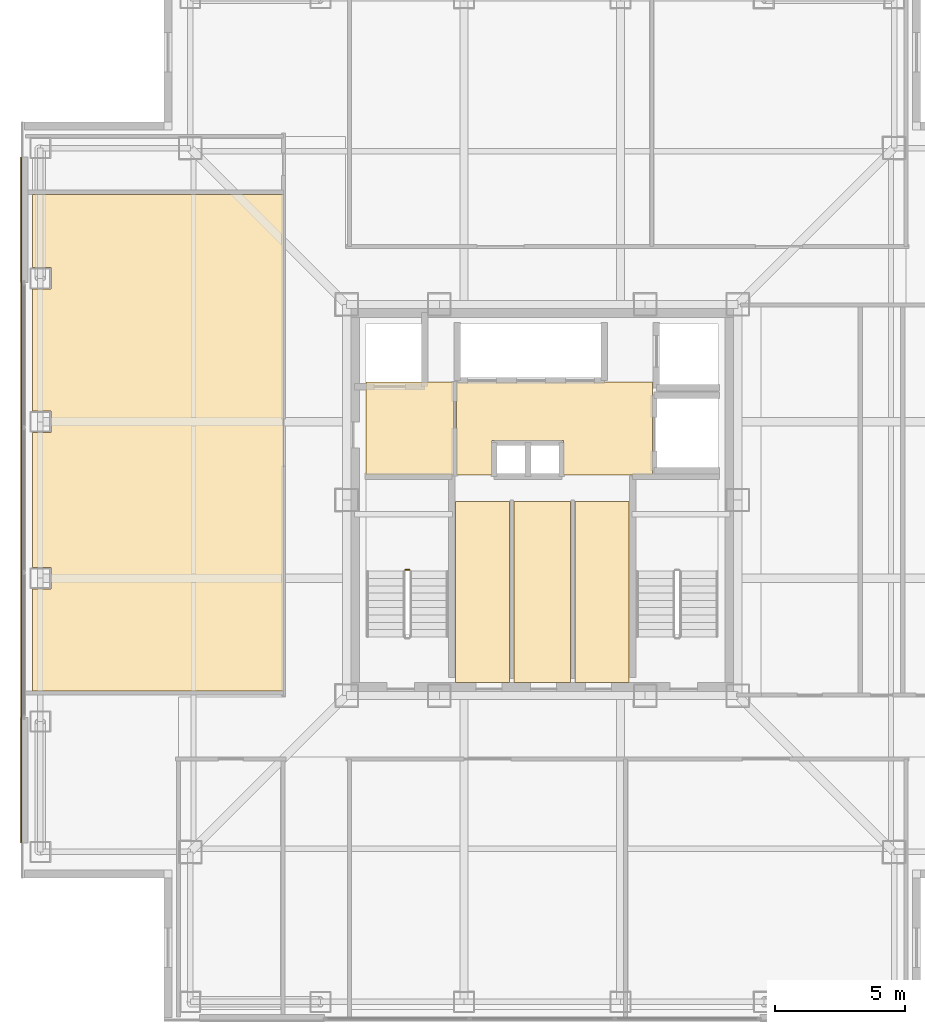
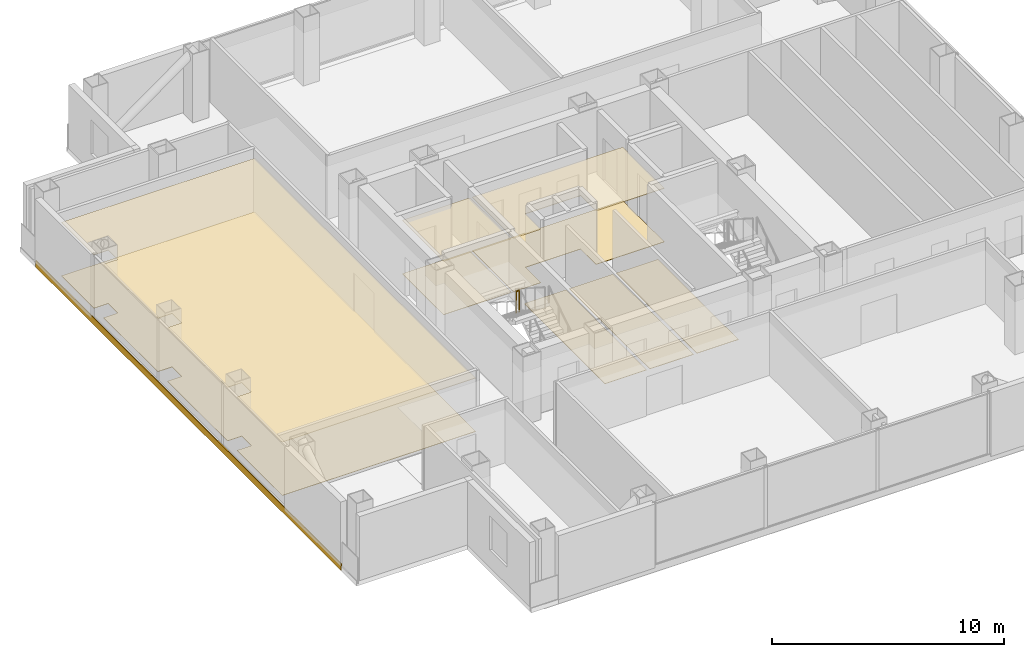
# One storey, part 14 of 17: 10 coverings, 1 railing.
"""IFC4 building model written with IfcOpenShell, lengths in metres."""

from ifc_helpers import new_model, si_unit, direction, frame, frame_2d, origin, origin_2d, place, context, subcontext, project, spatial, polyline, rectangle, circle, outline, extrude, material, layer, layer_set, type_object, element, save


model = new_model("IFC4")

# Units and contexts
model_context = context("Model", 3, precision=1e-05, world=origin(), true_north=direction((0.0, 1.0)))
body_context = subcontext(model_context, "Body", "Model", "MODEL_VIEW")
ifc_project = project(units=[si_unit("LENGTHUNIT", "METRE"), si_unit("AREAUNIT", "SQUARE_METRE"), si_unit("VOLUMEUNIT", "CUBIC_METRE"), si_unit("PLANEANGLEUNIT", "RADIAN"), si_unit("MASSUNIT", "GRAM", prefix="KILO")], contexts=[model_context])

# Site, building, storey
site_placement = place(None, origin())
site = spatial("IfcSite", under=ifc_project, at=site_placement, CompositionType="ELEMENT")
building_placement = place(site_placement, origin())
building = spatial("IfcBuilding", under=site, at=building_placement, Name="Trevonay Congress Spire", CompositionType="ELEMENT")
storey_placement = place(building_placement, frame((0.0, 0.0, 191.39990234375)))
storey = spatial("IfcBuildingStorey", under=building, at=storey_placement, Name="L49", CompositionType="ELEMENT", Elevation=191.39990234375)

# Coverings
ifc_material_1 = material(Name="Acoustic Mineral Fibre Board", Category="gypsum")
ifc_layer_1 = layer(ifc_material_1, 0.02490234375, Name="Acoustic Mineral Fibre Board")
ifc_layer_set_1 = layer_set([ifc_layer_1], Name="Acoustic Mineral Fibre Board")
covering_type_1 = type_object("IfcCoveringType", Name="COV-CEIL-ACOUSTIC", PredefinedType="CEILING", material=ifc_layer_set_1)
covering_1_placement = place(storey_placement, frame((0.0, 0.0, 2.81005859375)))
element("IfcCovering", 1, at=covering_1_placement, inside=storey, type_object=covering_type_1, Name="L49 Firefighting Lift Lobby West acoustic suspended ceiling", PredefinedType="CEILING", context=body_context, shape_type="SweptSolid", body=[
    extrude(outline(polyline([(-6.75, 0.9599609375), (-3.3798828125, 0.9599609375), (-3.3798828125, 4.52001953125), (-6.75, 4.52001953125), (-6.75, 0.9599609375)])), origin(), (0.0, 0.0, 1.0), 0.025146484375),
])
covering_2_placement = place(storey_placement, frame((0.0, 0.0, 2.81005859375)))
element("IfcCovering", 2, at=covering_2_placement, inside=storey, type_object=covering_type_1, Name="L49 Central and High-Rise Passenger Lift Lobby acoustic suspended ceiling", PredefinedType="CEILING", context=body_context, shape_type="SweptSolid", body=[
    extrude(outline(polyline([(-3.280029296875, 0.949951171875), (-1.919921875, 0.949951171875), (-1.919921875, 2.280029296875), (0.820068359375, 2.280029296875), (0.820068359375, 0.949951171875), (4.219970703125, 0.949951171875), (4.219970703125, 4.52001953125), (-3.280029296875, 4.52001953125), (-3.280029296875, 0.949951171875)])), origin(), (0.0, 0.0, 1.0), 0.025146484375),
])
covering_3_placement = place(storey_placement, frame((0.0, 0.0, 2.81005859375)))
element("IfcCovering", 3, at=covering_3_placement, inside=storey, type_object=covering_type_1, Name="L49 Harbour View Grand Banquet Dining Room acoustic suspended ceiling", PredefinedType="CEILING", context=body_context, shape_type="SweptSolid", body=[
    extrude(outline(polyline([(-19.550048828125, 11.719970703125), (-9.929931640625, 11.719970703125), (-9.929931640625, -7.320068359375), (-19.550048828125, -7.320068359375), (-19.550048828125, -3.409912109375), (-18.840087890625, -3.409912109375), (-18.840087890625, -2.590087890625), (-19.550048828125, -2.590087890625), (-19.550048828125, 2.590087890625), (-18.840087890625, 2.590087890625), (-18.840087890625, 3.409912109375), (-19.550048828125, 3.409912109375), (-19.550048828125, 8.090087890625), (-18.840087890625, 8.090087890625), (-18.840087890625, 8.909912109375), (-19.550048828125, 8.909912109375), (-19.550048828125, 11.719970703125)])), origin(), (0.0, 0.0, 1.0), 0.025146484375),
])
ifc_material_2 = material(Name="Polished Granite Floor Tile", Category="masonry")
ifc_layer_2 = layer(ifc_material_2, 0.02001953125, Name="Polished Granite Floor Tile")
ifc_layer_set_2 = layer_set([ifc_layer_2], Name="Polished Granite Floor Tile")
covering_type_2 = type_object("IfcCoveringType", Name="COV-FLOOR-STONE", PredefinedType="FLOORING", material=ifc_layer_set_2)
covering_4_placement = place(storey_placement, origin())
element("IfcCovering", 4, at=covering_4_placement, inside=storey, type_object=covering_type_2, Name="L49 Firefighting Lift Lobby West floor finish", PredefinedType="FLOORING", context=body_context, shape_type="SweptSolid", body=[
    extrude(outline(polyline([(-6.75, 0.9599609375), (-3.3798828125, 0.9599609375), (-3.3798828125, 4.52001953125), (-6.75, 4.52001953125), (-6.75, 0.9599609375)])), origin(), (0.0, 0.0, 1.0), 0.02001953125),
])
covering_5_placement = place(storey_placement, origin())
element("IfcCovering", 5, at=covering_5_placement, inside=storey, type_object=covering_type_2, Name="L49 Central and High-Rise Passenger Lift Lobby floor finish", PredefinedType="FLOORING", context=body_context, shape_type="SweptSolid", body=[
    extrude(outline(polyline([(-3.280029296875, 0.949951171875), (-1.919921875, 0.949951171875), (-1.919921875, 2.280029296875), (0.820068359375, 2.280029296875), (0.820068359375, 0.949951171875), (4.219970703125, 0.949951171875), (4.219970703125, 4.52001953125), (-3.280029296875, 4.52001953125), (-3.280029296875, 0.949951171875)])), origin(), (0.0, 0.0, 1.0), 0.02001953125),
])
covering_6_placement = place(storey_placement, origin())
element("IfcCovering", 6, at=covering_6_placement, inside=storey, type_object=covering_type_2, Name="L49 Core AHU Fan Plant Room floor finish", PredefinedType="FLOORING", context=body_context, shape_type="SweptSolid", body=[
    extrude(outline(polyline([(-3.320068359375, -7.0), (-1.25, -7.0), (-1.25, -0.050048828125), (-3.320068359375, -0.050048828125), (-3.320068359375, -7.0)])), origin(), (0.0, 0.0, 1.0), 0.02001953125),
])
covering_7_placement = place(storey_placement, origin())
element("IfcCovering", 7, at=covering_7_placement, inside=storey, type_object=covering_type_2, Name="L49 Core IT Comms Store floor finish", PredefinedType="FLOORING", context=body_context, shape_type="SweptSolid", body=[
    extrude(outline(polyline([(-1.090087890625, -7.0), (1.090087890625, -7.0), (1.090087890625, -0.050048828125), (-1.090087890625, -0.050048828125), (-1.090087890625, -7.0)])), origin(), (0.0, 0.0, 1.0), 0.02001953125),
])
covering_8_placement = place(storey_placement, origin())
element("IfcCovering", 8, at=covering_8_placement, inside=storey, type_object=covering_type_2, Name="L49 Housekeeping Linen Store floor finish", PredefinedType="FLOORING", context=body_context, shape_type="SweptSolid", body=[
    extrude(outline(polyline([(1.25, -7.0), (3.320068359375, -7.0), (3.320068359375, -0.050048828125), (1.25, -0.050048828125), (1.25, -7.0)])), origin(), (0.0, 0.0, 1.0), 0.02001953125),
])
covering_9_placement = place(storey_placement, origin())
element("IfcCovering", 9, at=covering_9_placement, inside=storey, type_object=covering_type_2, Name="L49 Harbour View Grand Banquet Dining Room floor finish", PredefinedType="FLOORING", context=body_context, shape_type="SweptSolid", body=[
    extrude(outline(polyline([(-19.550048828125, 11.719970703125), (-9.929931640625, 11.719970703125), (-9.929931640625, -7.320068359375), (-19.550048828125, -7.320068359375), (-19.550048828125, -3.409912109375), (-18.840087890625, -3.409912109375), (-18.840087890625, -2.590087890625), (-19.550048828125, -2.590087890625), (-19.550048828125, 2.590087890625), (-18.840087890625, 2.590087890625), (-18.840087890625, 3.409912109375), (-19.550048828125, 3.409912109375), (-19.550048828125, 8.090087890625), (-18.840087890625, 8.090087890625), (-18.840087890625, 8.909912109375), (-19.550048828125, 8.909912109375), (-19.550048828125, 11.719970703125)])), origin(), (0.0, 0.0, 1.0), 0.02001953125),
])
ifc_material_3 = material(Name="Pale Anodised Aluminium EN AW-6063-T6", Category="aluminium")
ifc_layer_3 = layer(ifc_material_3, 0.0400390625, Name="Pale Anodised Aluminium EN AW-6063-T6")
ifc_layer_set_3 = layer_set([ifc_layer_3], Name="Pale Anodised Aluminium EN AW-6063-T6")
covering_type_3 = type_object("IfcCoveringType", Name="COV-SPANDREL-PALE-METAL", PredefinedType="CLADDING", material=ifc_layer_set_3)
covering_10_placement = place(storey_placement, frame((-19.97998046875, -13.14990234375, -0.239990234375), z_axis=(0.0, 0.0, 1.0), x_axis=(0.0, 1.0, 0.0)))
element("IfcCovering", 10, at=covering_10_placement, inside=storey, type_object=covering_type_3, Name="L49 W pale-metal slab-edge spandrel cladding", PredefinedType="CLADDING", context=body_context, shape_type="SweptSolid", body=[
    extrude(rectangle(XDim=26.2998046875, YDim=0.0400390625, at=frame_2d((13.14990234375, 0.0))), origin(), (0.0, 0.0, 1.0), 0.360107421875),
])

# Railing
railing_type = type_object("IfcRailingType", Name="RAL-STAIR-GUARD-110", PredefinedType="GUARDRAIL", material=ifc_material_3)
railing_placement = place(storey_placement, frame((-5.10009765625, -2.679931640625, 1.800048828125)))
element("IfcRailing", 11, at=railing_placement, inside=storey, type_object=railing_type, Name="L49 ST-1 stair guard 2", PredefinedType="GUARDRAIL", context=body_context, shape_type="SweptSolid", body=[
    extrude(circle(Radius=0.02392578125, at=origin_2d()), frame((0.0, 0.0, 1.1259765625), z_axis=(-1.0, 0.0, 0.0), x_axis=(0.0, -1.0, 0.0)), (0.0, 0.0, 1.0), 0.14990234375),
    extrude(circle(Radius=0.02099609375, at=origin_2d()), origin(), (0.0, 0.0, 1.0), 1.101806640625),
    extrude(circle(Radius=0.02099609375, at=origin_2d()), frame((-0.14990234375, 0.0, 0.0)), (0.0, 0.0, 1.0), 1.101806640625),
])

save(model, "model.ifc")
